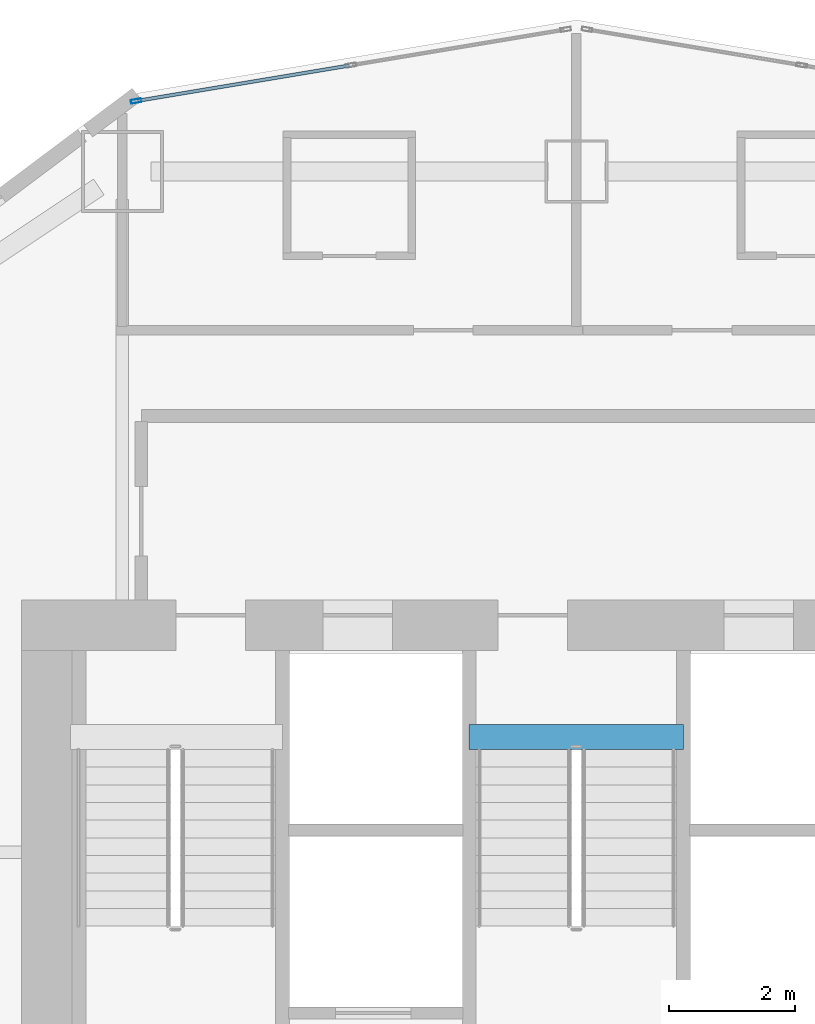
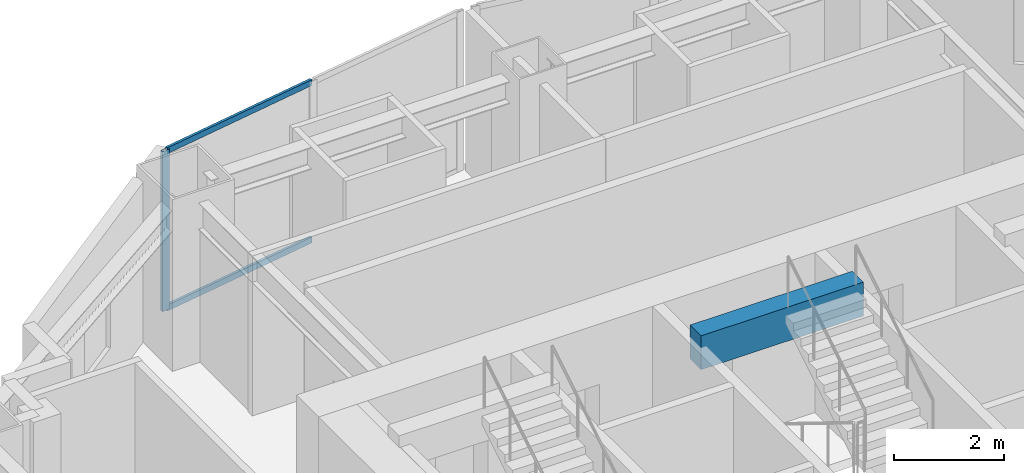
# One storey, part 2 of 19: 3 members, 1 beam, 1 element without a shape of its own.
"""IFC4 building model written with IfcOpenShell, lengths in metres."""

import ifcopenshell
import ifcopenshell.guid

model = None  # the IFC model being written
_history = None  # IfcOwnerHistory: only IFC2X3 demands one
_inside = {}  # id of a spatial element -> (the spatial element, [elements in it])
_under = {}  # id of a project, library or spatial element -> (it, [spatial elements below it])
_declared = {}  # id of a project -> (the project, [libraries it declares])
_typed = {}  # id of a type object -> (the type object, [elements of that type])
_made_of = {}  # id of a material, layer set ... -> (it, [elements and type objects made of it])


def new_model(schema):
    """Start an empty IFC model of exactly this schema.

    Asked for "IFC4X3", IfcOpenShell would pick the latest addendum, in which some entities
    have other attributes; the version numbers below select the first issue.
    IFC2X3 requires an IfcOwnerHistory on every rooted entity: one is made here for all.
    """
    global model, _history
    if schema == "IFC4X3":
        model = ifcopenshell.file(schema_version=(4, 3, 0, 0))
    else:
        model = ifcopenshell.file(schema=schema)
    _inside.clear()
    _under.clear()
    _declared.clear()
    _typed.clear()
    _made_of.clear()
    _history = None
    if model.schema == "IFC2X3":
        org = make("IfcOrganization", Name="unknown")
        user = make(
            "IfcPersonAndOrganization",
            ThePerson=make("IfcPerson", FamilyName="unknown"),
            TheOrganization=org,
        )
        app = make(
            "IfcApplication",
            ApplicationDeveloper=org,
            Version="unknown",
            ApplicationFullName="unknown",
            ApplicationIdentifier="unknown",
        )
        _history = make(
            "IfcOwnerHistory",
            OwningUser=user,
            OwningApplication=app,
            ChangeAction="ADDED",
            CreationDate=0,
        )
    return model


def make(cls, **values):
    """One entity of the class cls with the attributes given. An attribute that is None is left unset."""
    return model.create_entity(
        cls, **{name: value for name, value in values.items() if value is not None}
    )


def rooted(cls, **values):
    """An entity with a GlobalId (a new one), such as an element, a storey or a relation."""
    return make(cls, GlobalId=ifcopenshell.guid.new(), OwnerHistory=_history, **values)


def si_unit(unit_type, name, prefix=None):
    """IfcSIUnit, for example si_unit("LENGTHUNIT", "METRE", prefix="MILLI")."""
    return make("IfcSIUnit", UnitType=unit_type, Prefix=prefix, Name=name)


def assignment(units):
    """IfcUnitAssignment: the units of a project."""
    return None if units is None else make("IfcUnitAssignment", Units=units)


def point(xyz):
    """IfcCartesianPoint."""
    return None if xyz is None else make("IfcCartesianPoint", Coordinates=xyz)


def direction(xyz):
    """IfcDirection."""
    return None if xyz is None else make("IfcDirection", DirectionRatios=xyz)


def frame(location, z_axis=None, x_axis=None):
    """IfcAxis2Placement3D, a coordinate frame: its origin and axes. An axis left out is left unset."""
    return make(
        "IfcAxis2Placement3D",
        Location=point(location),
        Axis=direction(z_axis),
        RefDirection=direction(x_axis),
    )


def frame_2d(location, x_axis=None):
    """IfcAxis2Placement2D, a coordinate frame in the plane: its origin and x axis."""
    return make(
        "IfcAxis2Placement2D", Location=point(location), RefDirection=direction(x_axis)
    )


def origin():
    """The frame at (0, 0, 0) with its axes left unset."""
    return frame((0.0, 0.0, 0.0))


def origin_2d():
    """The frame at (0, 0) in the plane with its x axis left unset."""
    return frame_2d((0.0, 0.0))


def place(relative_to, where):
    """IfcLocalPlacement: puts the frame where relative to a parent placement (None: the world)."""
    return make(
        "IfcLocalPlacement", PlacementRelTo=relative_to, RelativePlacement=where
    )


def context(
    kind, dimensions, precision=None, world=None, true_north=None, identifier=None
):
    """IfcGeometricRepresentationContext, for example the 3D "Model" context."""
    return make(
        "IfcGeometricRepresentationContext",
        ContextIdentifier=identifier,
        ContextType=kind,
        CoordinateSpaceDimension=dimensions,
        Precision=precision,
        WorldCoordinateSystem=world,
        TrueNorth=true_north,
    )


def subcontext(parent, identifier, kind, view, scale=None):
    """IfcGeometricRepresentationSubContext, for example "Body" below "Model"."""
    return make(
        "IfcGeometricRepresentationSubContext",
        ContextIdentifier=identifier,
        ContextType=kind,
        ParentContext=parent,
        TargetScale=scale,
        TargetView=view,
    )


def project(units=None, contexts=None):
    """IfcProject with its units and contexts."""
    return rooted(
        "IfcProject",
        Name="project",
        RepresentationContexts=contexts,
        UnitsInContext=assignment(units),
    )


def spatial(cls, under=None, at=None, **own):
    """A site, building, storey or space (cls), placed at a placement, below another one or the project."""
    s = rooted(cls, ObjectPlacement=at, **own)
    if under is not None:
        _under.setdefault(under.id(), (under, []))[1].append(s)
    return s


def profile(cls, at=None, kind="AREA", **sizes):
    """A parametric profile (cls). Its sizes go by their IFC names, for example OverallWidth=200.0."""
    return make(cls, ProfileType=kind, Position=at, **sizes)


def rectangle(**sizes):
    """IfcRectangleProfileDef."""
    return profile("IfcRectangleProfileDef", **sizes)


def hollow_rectangle(**sizes):
    """IfcRectangleHollowProfileDef."""
    return profile("IfcRectangleHollowProfileDef", **sizes)


def extrude(swept, where, along, depth):
    """IfcExtrudedAreaSolid: the profile swept, set in the frame where, extruded along a direction by depth."""
    return make(
        "IfcExtrudedAreaSolid",
        SweptArea=swept,
        Position=where,
        ExtrudedDirection=direction(along),
        Depth=depth,
    )


def shape(context_of_items, identifier, shape_type, items):
    """IfcShapeRepresentation: the items that make up one representation, for example the "Body"."""
    return make(
        "IfcShapeRepresentation",
        ContextOfItems=context_of_items,
        RepresentationIdentifier=identifier,
        RepresentationType=shape_type,
        Items=items,
    )


def material(Name=None, Category=None):
    """IfcMaterial."""
    return make("IfcMaterial", Name=Name, Category=Category)


def layer(
    of_material, thickness, ventilated=None, Name=None, Category=None, Priority=None
):
    """IfcMaterialLayer: one layer of a wall or slab, of a material (None: an air gap)."""
    return make(
        "IfcMaterialLayer",
        Material=of_material,
        LayerThickness=thickness,
        IsVentilated=ventilated,
        Name=Name,
        Category=Category,
        Priority=Priority,
    )


def layer_set(layers, Name=None):
    """IfcMaterialLayerSet."""
    return make("IfcMaterialLayerSet", MaterialLayers=layers, LayerSetName=Name)


def material_profile(
    of_material, cross_section, Name=None, Category=None, Priority=None
):
    """IfcMaterialProfile: a cross section and its material."""
    return make(
        "IfcMaterialProfile",
        Name=Name,
        Material=of_material,
        Profile=cross_section,
        Priority=Priority,
        Category=Category,
    )


def profile_set(profiles, Name=None, composite=None):
    """IfcMaterialProfileSet."""
    return make(
        "IfcMaterialProfileSet",
        Name=Name,
        MaterialProfiles=profiles,
        CompositeProfile=composite,
    )


def made_of(thing, what):
    """Note that an element or type object is made of a material, layer set ...; save() writes the relation."""
    if what is not None:
        _made_of.setdefault(what.id(), (what, []))[1].append(thing)
    return thing


def type_object(cls, material=None, **own):
    """A type object (cls), such as IfcWallType, which elements share."""
    return made_of(rooted(cls, **own), material)


def element(
    cls,
    number,
    at=None,
    inside=None,
    cuts=None,
    type_object=None,
    material=None,
    context=None,
    identifier="Body",
    shape_type=None,
    held_by="IfcProductDefinitionShape",
    body=None,
    shapes=None,
    **own,
):
    """One element of the class cls, such as IfcWall. Its Tag is "e" and its number.

    at: its placement. inside: the storey or other place that contains it. cuts: it is an
    opening in that element (IfcRelVoidsElement). A single representation is given by context,
    identifier, shape_type and body (its items); several are given by shapes. held_by: the class
    of the entity that holds the representations. save() writes the other relations.
    """
    e = rooted(cls, Tag="e%d" % number, ObjectPlacement=at, **own)
    if body is not None:
        shapes = [shape(context, identifier, shape_type, body)]
    if shapes is not None:
        e.Representation = make(held_by, Representations=shapes)
    if inside is not None:
        _inside.setdefault(inside.id(), (inside, []))[1].append(e)
    if cuts is not None:
        rooted(
            "IfcRelVoidsElement", RelatingBuildingElement=cuts, RelatedOpeningElement=e
        )
    if type_object is not None:
        _typed.setdefault(type_object.id(), (type_object, []))[1].append(e)
    return made_of(e, material)


def aggregate(whole, parts):
    """IfcRelAggregates: a whole, such as a stair, and the parts it consists of."""
    return rooted("IfcRelAggregates", RelatingObject=whole, RelatedObjects=parts)


def save(model, path):
    """Write the relations noted so far, then the file.

    IfcRelAggregates (storeys below a building ...), IfcRelContainedInSpatialStructure (elements
    in a storey), IfcRelDefinesByType, IfcRelAssociatesMaterial and IfcRelDeclares: one each for
    every whole, place, type object, material and project.
    """
    for whole, parts in _under.values():
        aggregate(whole, parts)
    for where, things in _inside.values():
        rooted(
            "IfcRelContainedInSpatialStructure",
            RelatedElements=things,
            RelatingStructure=where,
        )
    for kind, things in _typed.values():
        rooted("IfcRelDefinesByType", RelatedObjects=things, RelatingType=kind)
    for what, things in _made_of.values():
        rooted("IfcRelAssociatesMaterial", RelatedObjects=things, RelatingMaterial=what)
    for by, libraries in _declared.values():
        rooted("IfcRelDeclares", RelatingContext=by, RelatedDefinitions=libraries)
    model.write(path)


model = new_model("IFC4")

# Units and contexts
model_context = context("Model", 3, precision=1e-05, world=origin(), true_north=direction((0.0, 1.0)))
body_context = subcontext(model_context, "Body", "Model", "MODEL_VIEW")
ifc_project = project(units=[si_unit("LENGTHUNIT", "METRE"), si_unit("AREAUNIT", "SQUARE_METRE"), si_unit("VOLUMEUNIT", "CUBIC_METRE"), si_unit("PLANEANGLEUNIT", "RADIAN"), si_unit("MASSUNIT", "GRAM", prefix="KILO")], contexts=[model_context])

# Site, building, storey
site_placement = place(None, origin())
site = spatial("IfcSite", under=ifc_project, at=site_placement, CompositionType="ELEMENT")
building_placement = place(site_placement, origin())
building = spatial("IfcBuilding", under=site, at=building_placement, Name="Haolan Belvedere Tower", CompositionType="ELEMENT")
storey_placement = place(building_placement, frame((0.0, 0.0, 39.199951171875)))
storey = spatial("IfcBuildingStorey", under=building, at=storey_placement, Name="L09", CompositionType="ELEMENT", Elevation=39.199951171875)

# Beam
ifc_material_1 = material(Name="Concrete C50/60", Category="concrete")
ifc_material_profile_1 = material_profile(ifc_material_1, rectangle(XDim=0.39990234375, YDim=0.75, at=origin_2d()), Name="Concrete C50/60")
ifc_profile_set_1 = profile_set([ifc_material_profile_1], Name="Concrete C50/60")
beam_type = type_object("IfcBeamType", Name="BM-RC400x750", PredefinedType="T_BEAM", material=ifc_profile_set_1)
beam_placement = place(storey_placement, frame((36.699951171875, 41.429931640625, 3.425048828125), z_axis=(1.0, 0.0, 0.0), x_axis=(0.0, 1.0, 0.0)))
element("IfcBeam", 1, at=beam_placement, inside=storey, type_object=beam_type, Name="L10 stair ST3 RC header trimmer beam", PredefinedType="BEAM", context=body_context, shape_type="SweptSolid", body=[
    extrude(rectangle(XDim=0.39990234375, YDim=0.75, at=origin_2d()), origin(), (0.0, 0.0, 1.0), 3.400146484375),
])

# Curtain wall, members
ifc_material_2 = material(Name="Anodised champagne-silver aluminium 6063-T6 and Low-E glass", Category="aluminium")
ifc_layer = layer(ifc_material_2, 0.1650390625, Name="Anodised champagne-silver aluminium 6063-T6 and Low-E glass")
ifc_layer_set = layer_set([ifc_layer], Name="Anodised champagne-silver aluminium 6063-T6 and Low-E glass")
curtain_wall_type = type_object("IfcCurtainWallType", Name="CW-SYS-02", PredefinedType="NOTDEFINED", material=ifc_layer_set)
curtain_wall_placement = place(storey_placement, origin())
curtain_wall = element("IfcCurtainWall", 2, at=curtain_wall_placement, inside=storey, type_object=curtain_wall_type, Name="L09 CW-SYS-02 ribbon curtain wall 43.1", PredefinedType="NOTDEFINED")
ifc_material_3 = material(Name="Anodised aluminium 6063-T6", Category="aluminium")
ifc_material_profile_2 = material_profile(ifc_material_3, hollow_rectangle(XDim=0.06005859375, YDim=0.1650390625, WallThickness=0.00390625, at=origin_2d()), Name="Anodised aluminium 6063-T6")
ifc_profile_set_2 = profile_set([ifc_material_profile_2], Name="Anodised aluminium 6063-T6")
member_type_1 = type_object("IfcMemberType", Name="CW-SYS-02-MUL", PredefinedType="MULLION", material=ifc_profile_set_2)
member_1_placement = place(storey_placement, frame((31.416259765625, 51.514404296875, 0.0), z_axis=(0.0, 0.0, 1.0), x_axis=(0.16440364043, -0.9863931483, 0.0)))
member_1 = element("IfcMember", 3, at=member_1_placement, type_object=member_type_1, Name="CW-02 mullion 3", PredefinedType="MULLION", context=body_context, shape_type="SweptSolid", body=[
    extrude(hollow_rectangle(XDim=0.06005859375, YDim=0.1650390625, WallThickness=0.00390625, at=origin_2d()), origin(), (0.0, 0.0, 1.0), 3.5400390625),
])
ifc_material_profile_3 = material_profile(ifc_material_3, hollow_rectangle(XDim=0.054931640625, YDim=0.1298828125, WallThickness=0.00390625, at=origin_2d()), Name="Anodised aluminium 6063-T6")
ifc_profile_set_3 = profile_set([ifc_material_profile_3], Name="Anodised aluminium 6063-T6")
member_type_2 = type_object("IfcMemberType", Name="CW-SYS-02-TRN", PredefinedType="USERDEFINED", material=ifc_profile_set_3)
member_2_placement = place(storey_placement, frame((34.794677734375, 52.077392578125, 0.027587890625), z_axis=(-0.986395867289, -0.164387326137, 0.0), x_axis=(0.164387326137, -0.986395867289, 0.0)))
member_2 = element("IfcMember", 4, at=member_2_placement, type_object=member_type_2, Name="CW-02 transom 2.1", ObjectType="TRANSOM", PredefinedType="USERDEFINED", context=body_context, shape_type="SweptSolid", body=[
    extrude(hollow_rectangle(XDim=0.054931640625, YDim=0.1298828125, WallThickness=0.00390625, at=origin_2d()), origin(), (0.0, 0.0, 1.0), 3.39501953125),
])
member_3_placement = place(storey_placement, frame((34.794677734375, 52.077392578125, 3.512451171875), z_axis=(-0.986395867289, -0.164387326137, 0.0), x_axis=(0.164387326137, -0.986395867289, 0.0)))
member_3 = element("IfcMember", 5, at=member_3_placement, type_object=member_type_2, Name="CW-02 transom 2.2", ObjectType="TRANSOM", PredefinedType="USERDEFINED", context=body_context, shape_type="SweptSolid", body=[
    extrude(hollow_rectangle(XDim=0.054931640625, YDim=0.1298828125, WallThickness=0.00390625, at=origin_2d()), origin(), (0.0, 0.0, 1.0), 3.39501953125),
])
aggregate(curtain_wall, [member_1, member_2, member_3])

save(model, "model.ifc")
